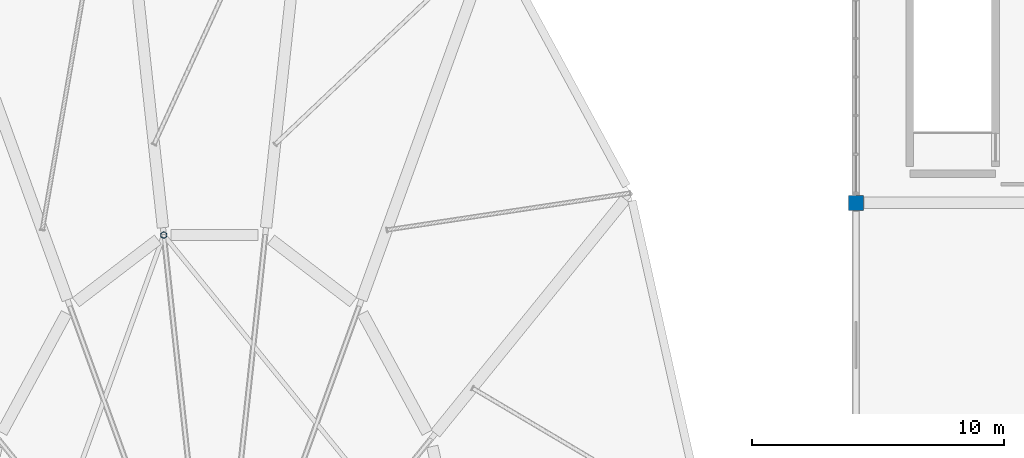
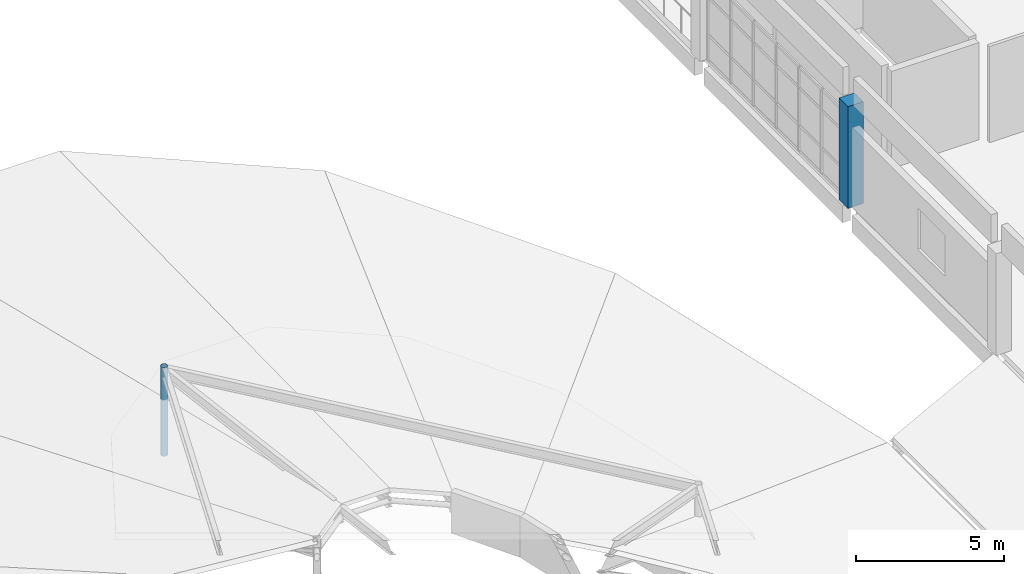
# One storey, part 3 of 39: 2 columns.
"""IFC4 building model written with IfcOpenShell, lengths in metres."""

import ifcopenshell
import ifcopenshell.guid

model = None  # the IFC model being written
_history = None  # IfcOwnerHistory: only IFC2X3 demands one
_inside = {}  # id of a spatial element -> (the spatial element, [elements in it])
_under = {}  # id of a project, library or spatial element -> (it, [spatial elements below it])
_declared = {}  # id of a project -> (the project, [libraries it declares])
_typed = {}  # id of a type object -> (the type object, [elements of that type])
_made_of = {}  # id of a material, layer set ... -> (it, [elements and type objects made of it])


def new_model(schema):
    """Start an empty IFC model of exactly this schema.

    Asked for "IFC4X3", IfcOpenShell would pick the latest addendum, in which some entities
    have other attributes; the version numbers below select the first issue.
    IFC2X3 requires an IfcOwnerHistory on every rooted entity: one is made here for all.
    """
    global model, _history
    if schema == "IFC4X3":
        model = ifcopenshell.file(schema_version=(4, 3, 0, 0))
    else:
        model = ifcopenshell.file(schema=schema)
    _inside.clear()
    _under.clear()
    _declared.clear()
    _typed.clear()
    _made_of.clear()
    _history = None
    if model.schema == "IFC2X3":
        org = make("IfcOrganization", Name="unknown")
        user = make(
            "IfcPersonAndOrganization",
            ThePerson=make("IfcPerson", FamilyName="unknown"),
            TheOrganization=org,
        )
        app = make(
            "IfcApplication",
            ApplicationDeveloper=org,
            Version="unknown",
            ApplicationFullName="unknown",
            ApplicationIdentifier="unknown",
        )
        _history = make(
            "IfcOwnerHistory",
            OwningUser=user,
            OwningApplication=app,
            ChangeAction="ADDED",
            CreationDate=0,
        )
    return model


def make(cls, **values):
    """One entity of the class cls with the attributes given. An attribute that is None is left unset."""
    return model.create_entity(
        cls, **{name: value for name, value in values.items() if value is not None}
    )


def rooted(cls, **values):
    """An entity with a GlobalId (a new one), such as an element, a storey or a relation."""
    return make(cls, GlobalId=ifcopenshell.guid.new(), OwnerHistory=_history, **values)


def si_unit(unit_type, name, prefix=None):
    """IfcSIUnit, for example si_unit("LENGTHUNIT", "METRE", prefix="MILLI")."""
    return make("IfcSIUnit", UnitType=unit_type, Prefix=prefix, Name=name)


def assignment(units):
    """IfcUnitAssignment: the units of a project."""
    return None if units is None else make("IfcUnitAssignment", Units=units)


def point(xyz):
    """IfcCartesianPoint."""
    return None if xyz is None else make("IfcCartesianPoint", Coordinates=xyz)


def direction(xyz):
    """IfcDirection."""
    return None if xyz is None else make("IfcDirection", DirectionRatios=xyz)


def frame(location, z_axis=None, x_axis=None):
    """IfcAxis2Placement3D, a coordinate frame: its origin and axes. An axis left out is left unset."""
    return make(
        "IfcAxis2Placement3D",
        Location=point(location),
        Axis=direction(z_axis),
        RefDirection=direction(x_axis),
    )


def frame_2d(location, x_axis=None):
    """IfcAxis2Placement2D, a coordinate frame in the plane: its origin and x axis."""
    return make(
        "IfcAxis2Placement2D", Location=point(location), RefDirection=direction(x_axis)
    )


def origin():
    """The frame at (0, 0, 0) with its axes left unset."""
    return frame((0.0, 0.0, 0.0))


def origin_2d():
    """The frame at (0, 0) in the plane with its x axis left unset."""
    return frame_2d((0.0, 0.0))


def place(relative_to, where):
    """IfcLocalPlacement: puts the frame where relative to a parent placement (None: the world)."""
    return make(
        "IfcLocalPlacement", PlacementRelTo=relative_to, RelativePlacement=where
    )


def context(
    kind, dimensions, precision=None, world=None, true_north=None, identifier=None
):
    """IfcGeometricRepresentationContext, for example the 3D "Model" context."""
    return make(
        "IfcGeometricRepresentationContext",
        ContextIdentifier=identifier,
        ContextType=kind,
        CoordinateSpaceDimension=dimensions,
        Precision=precision,
        WorldCoordinateSystem=world,
        TrueNorth=true_north,
    )


def subcontext(parent, identifier, kind, view, scale=None):
    """IfcGeometricRepresentationSubContext, for example "Body" below "Model"."""
    return make(
        "IfcGeometricRepresentationSubContext",
        ContextIdentifier=identifier,
        ContextType=kind,
        ParentContext=parent,
        TargetScale=scale,
        TargetView=view,
    )


def project(units=None, contexts=None):
    """IfcProject with its units and contexts."""
    return rooted(
        "IfcProject",
        Name="project",
        RepresentationContexts=contexts,
        UnitsInContext=assignment(units),
    )


def spatial(cls, under=None, at=None, **own):
    """A site, building, storey or space (cls), placed at a placement, below another one or the project."""
    s = rooted(cls, ObjectPlacement=at, **own)
    if under is not None:
        _under.setdefault(under.id(), (under, []))[1].append(s)
    return s


def profile(cls, at=None, kind="AREA", **sizes):
    """A parametric profile (cls). Its sizes go by their IFC names, for example OverallWidth=200.0."""
    return make(cls, ProfileType=kind, Position=at, **sizes)


def rectangle(**sizes):
    """IfcRectangleProfileDef."""
    return profile("IfcRectangleProfileDef", **sizes)


def hollow_circle(**sizes):
    """IfcCircleHollowProfileDef."""
    return profile("IfcCircleHollowProfileDef", **sizes)


def extrude(swept, where, along, depth):
    """IfcExtrudedAreaSolid: the profile swept, set in the frame where, extruded along a direction by depth."""
    return make(
        "IfcExtrudedAreaSolid",
        SweptArea=swept,
        Position=where,
        ExtrudedDirection=direction(along),
        Depth=depth,
    )


def shape(context_of_items, identifier, shape_type, items):
    """IfcShapeRepresentation: the items that make up one representation, for example the "Body"."""
    return make(
        "IfcShapeRepresentation",
        ContextOfItems=context_of_items,
        RepresentationIdentifier=identifier,
        RepresentationType=shape_type,
        Items=items,
    )


def material(Name=None, Category=None):
    """IfcMaterial."""
    return make("IfcMaterial", Name=Name, Category=Category)


def material_profile(
    of_material, cross_section, Name=None, Category=None, Priority=None
):
    """IfcMaterialProfile: a cross section and its material."""
    return make(
        "IfcMaterialProfile",
        Name=Name,
        Material=of_material,
        Profile=cross_section,
        Priority=Priority,
        Category=Category,
    )


def profile_set(profiles, Name=None, composite=None):
    """IfcMaterialProfileSet."""
    return make(
        "IfcMaterialProfileSet",
        Name=Name,
        MaterialProfiles=profiles,
        CompositeProfile=composite,
    )


def made_of(thing, what):
    """Note that an element or type object is made of a material, layer set ...; save() writes the relation."""
    if what is not None:
        _made_of.setdefault(what.id(), (what, []))[1].append(thing)
    return thing


def type_object(cls, material=None, **own):
    """A type object (cls), such as IfcWallType, which elements share."""
    return made_of(rooted(cls, **own), material)


def element(
    cls,
    number,
    at=None,
    inside=None,
    cuts=None,
    type_object=None,
    material=None,
    context=None,
    identifier="Body",
    shape_type=None,
    held_by="IfcProductDefinitionShape",
    body=None,
    shapes=None,
    **own,
):
    """One element of the class cls, such as IfcWall. Its Tag is "e" and its number.

    at: its placement. inside: the storey or other place that contains it. cuts: it is an
    opening in that element (IfcRelVoidsElement). A single representation is given by context,
    identifier, shape_type and body (its items); several are given by shapes. held_by: the class
    of the entity that holds the representations. save() writes the other relations.
    """
    e = rooted(cls, Tag="e%d" % number, ObjectPlacement=at, **own)
    if body is not None:
        shapes = [shape(context, identifier, shape_type, body)]
    if shapes is not None:
        e.Representation = make(held_by, Representations=shapes)
    if inside is not None:
        _inside.setdefault(inside.id(), (inside, []))[1].append(e)
    if cuts is not None:
        rooted(
            "IfcRelVoidsElement", RelatingBuildingElement=cuts, RelatedOpeningElement=e
        )
    if type_object is not None:
        _typed.setdefault(type_object.id(), (type_object, []))[1].append(e)
    return made_of(e, material)


def aggregate(whole, parts):
    """IfcRelAggregates: a whole, such as a stair, and the parts it consists of."""
    return rooted("IfcRelAggregates", RelatingObject=whole, RelatedObjects=parts)


def save(model, path):
    """Write the relations noted so far, then the file.

    IfcRelAggregates (storeys below a building ...), IfcRelContainedInSpatialStructure (elements
    in a storey), IfcRelDefinesByType, IfcRelAssociatesMaterial and IfcRelDeclares: one each for
    every whole, place, type object, material and project.
    """
    for whole, parts in _under.values():
        aggregate(whole, parts)
    for where, things in _inside.values():
        rooted(
            "IfcRelContainedInSpatialStructure",
            RelatedElements=things,
            RelatingStructure=where,
        )
    for kind, things in _typed.values():
        rooted("IfcRelDefinesByType", RelatedObjects=things, RelatingType=kind)
    for what, things in _made_of.values():
        rooted("IfcRelAssociatesMaterial", RelatedObjects=things, RelatingMaterial=what)
    for by, libraries in _declared.values():
        rooted("IfcRelDeclares", RelatingContext=by, RelatedDefinitions=libraries)
    model.write(path)


model = new_model("IFC4")

# Units and contexts
model_context = context("Model", 3, precision=1e-05, world=origin(), true_north=direction((0.0, 1.0)))
body_context = subcontext(model_context, "Body", "Model", "MODEL_VIEW")
ifc_project = project(units=[si_unit("LENGTHUNIT", "METRE"), si_unit("AREAUNIT", "SQUARE_METRE"), si_unit("VOLUMEUNIT", "CUBIC_METRE"), si_unit("PLANEANGLEUNIT", "RADIAN"), si_unit("MASSUNIT", "GRAM", prefix="KILO")], contexts=[model_context])

# Site, building, storey
site_placement = place(None, origin())
site = spatial("IfcSite", under=ifc_project, at=site_placement, CompositionType="ELEMENT")
building_placement = place(site_placement, origin())
building = spatial("IfcBuilding", under=site, at=building_placement, Name="Corvandel Quay Wholesale Market", CompositionType="ELEMENT")
storey_placement = place(building_placement, frame((0.0, 0.0, 15.0)))
storey = spatial("IfcBuildingStorey", under=building, at=storey_placement, Name="L03", CompositionType="ELEMENT", Elevation=15.0)

# Columns
ifc_material_1 = material(Name="Precast concrete C45/55", Category="concrete")
ifc_material_profile_1 = material_profile(ifc_material_1, rectangle(XDim=0.60009765625, YDim=0.60009765625, at=origin_2d()), Name="PC-COL-600x600")
ifc_profile_set_1 = profile_set([ifc_material_profile_1], Name="Precast concrete C45/55")
column_type_1 = type_object("IfcColumnType", Name="Precast Column C06 600x600", PredefinedType="COLUMN", material=ifc_profile_set_1)
column_1_placement = place(storey_placement, frame((220.0, 80.0, 0.0), z_axis=(0.0, 0.0, 1.0), x_axis=(1.0, 0.0, 0.0)))
element("IfcColumn", 1, at=column_1_placement, inside=storey, type_object=column_type_1, Name="Column COL-0802", PredefinedType="COLUMN", context=body_context, shape_type="SweptSolid", body=[
    extrude(rectangle(XDim=0.60009765625, YDim=0.60009765625, at=origin_2d()), origin(), (0.0, 0.0, 1.0), 4.199951171875),
])
ifc_material_2 = material(Name="Steel A500 Grade C", Category="steel")
ifc_material_profile_2 = material_profile(ifc_material_2, hollow_circle(Radius=0.126953125, WallThickness=0.01171875, at=origin_2d()), Name="HSS10.000X0.500")
ifc_profile_set_2 = profile_set([ifc_material_profile_2], Name="Steel A500 Grade C")
column_type_2 = type_object("IfcColumnType", Name="Tubular Court Column C14 HSS10", PredefinedType="COLUMN", material=ifc_profile_set_2)
column_2_placement = place(storey_placement, frame((192.48291015625, 78.719970703125, 0.0), z_axis=(0.0, 0.0, 1.0), x_axis=(1.0, 0.0, 0.0)))
element("IfcColumn", 2, at=column_2_placement, inside=storey, type_object=column_type_2, Name="Lantern Column COL-0580", PredefinedType="COLUMN", context=body_context, shape_type="SweptSolid", body=[
    extrude(hollow_circle(Radius=0.126953125, WallThickness=0.01171875, at=origin_2d()), origin(), (0.0, 0.0, 1.0), 3.64990234375),
])

save(model, "model.ifc")
